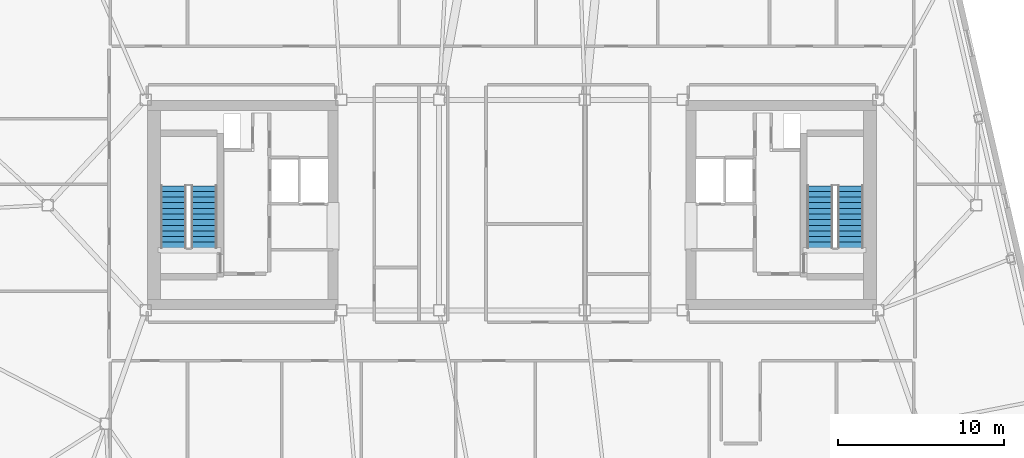
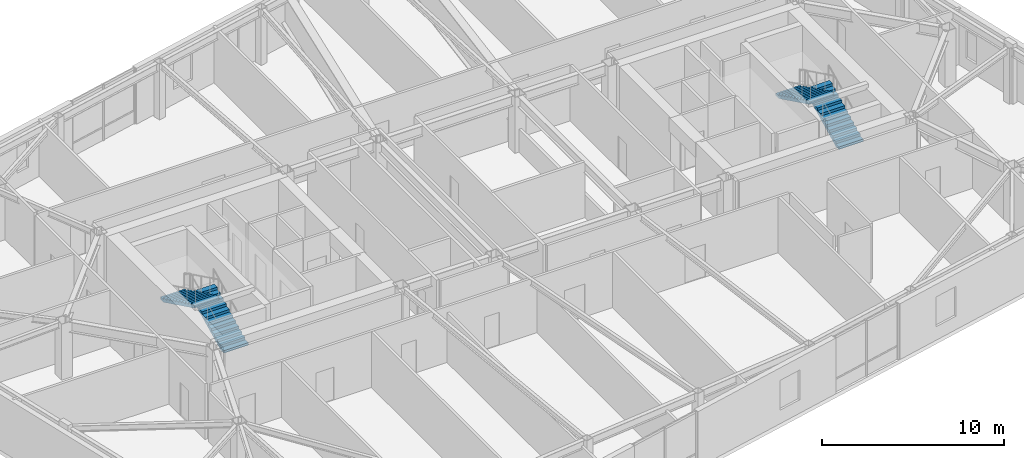
# One storey, part 21 of 24: 4 stair flights, 2 elements without a shape of their own.
"""IFC4 building model written with IfcOpenShell, lengths in metres."""

from ifc_helpers import new_model, si_unit, direction, frame, origin, place, context, subcontext, project, spatial, polyline, outline, extrude, material, type_object, element, aggregate, save


model = new_model("IFC4")

# Units and contexts
model_context = context("Model", 3, precision=1e-05, world=origin(), true_north=direction((0.0, 1.0)))
body_context = subcontext(model_context, "Body", "Model", "MODEL_VIEW")
ifc_project = project(units=[si_unit("LENGTHUNIT", "METRE"), si_unit("AREAUNIT", "SQUARE_METRE"), si_unit("VOLUMEUNIT", "CUBIC_METRE"), si_unit("PLANEANGLEUNIT", "RADIAN"), si_unit("MASSUNIT", "GRAM", prefix="KILO")], contexts=[model_context])

# Site, building, storey
site_placement = place(None, origin())
site = spatial("IfcSite", under=ifc_project, at=site_placement, CompositionType="ELEMENT")
building_placement = place(site_placement, origin())
building = spatial("IfcBuilding", under=site, at=building_placement, Name="Tavrogorsk Clinical Tower", CompositionType="ELEMENT")
storey_placement = place(building_placement, frame((0.0, 0.0, 309.0)))
storey = spatial("IfcBuildingStorey", under=building, at=storey_placement, Name="L72", CompositionType="ELEMENT", Elevation=309.0)

# Stair, stair flights
ifc_material_1 = material(Name="Concrete B60", Category="concrete")
stair_type = type_object("IfcStairType", Name="CoreStairAssembly", PredefinedType="HALF_TURN_STAIR", material=ifc_material_1)
stair_1_placement = place(storey_placement, origin())
stair_1 = element("IfcStair", 1, at=stair_1_placement, inside=storey, type_object=stair_type, Name="L72 ST-W", PredefinedType="HALF_TURN_STAIR")
ifc_material_2 = material(Name="Concrete B60", Category="concrete")
stair_flight_type = type_object("IfcStairFlightType", Name="CoreStairFlight", PredefinedType="STRAIGHT", material=ifc_material_2)
stair_flight_1_placement = place(storey_placement, frame((-18.574951171875, -2.574951171875, 0.0), z_axis=(0.0, 0.0, 1.0), x_axis=(0.0, 1.0, 0.0)))
stair_flight_1 = element("IfcStairFlight", 2, at=stair_flight_1_placement, type_object=stair_flight_type, Name="ST-W flight 1", NumberOfRisers=12, NumberOfTreads=11, PredefinedType="STRAIGHT", RiserHeight=0.166666667, TreadLength=0.34, context=body_context, shape_type="SweptSolid", body=[
    extrude(outline(polyline([(0.0, 0.0), (0.0, 0.166748046875), (0.340087890625, 0.166748046875), (0.340087890625, 0.333251953125), (0.679931640625, 0.333251953125), (0.679931640625, 0.5), (1.02001953125, 0.5), (1.02001953125, 0.666748046875), (1.360107421875, 0.666748046875), (1.360107421875, 0.833251953125), (1.699951171875, 0.833251953125), (1.699951171875, 1.0), (2.0400390625, 1.0), (2.0400390625, 1.166748046875), (2.3798828125, 1.166748046875), (2.3798828125, 1.333251953125), (2.719970703125, 1.333251953125), (2.719970703125, 1.5), (3.06005859375, 1.5), (3.06005859375, 1.666748046875), (3.39990234375, 1.666748046875), (3.39990234375, 1.833251953125), (3.739990234375, 1.833251953125), (3.739990234375, 2.0), (3.739990234375, 1.66650390625), (0.340576171875, 0.0), (0.0, 0.0)])), frame((0.0, 0.77490234375, 0.0), z_axis=(0.0, -1.0, 0.0), x_axis=(1.0, 0.0, 0.0)), (0.0, 0.0, 1.0), 1.550048828125),
])
stair_flight_2_placement = place(storey_placement, frame((-20.425048828125, 1.1650390625, 2.0), z_axis=(0.0, 0.0, 1.0), x_axis=(0.0, -1.0, 0.0)))
stair_flight_2 = element("IfcStairFlight", 3, at=stair_flight_2_placement, type_object=stair_flight_type, Name="ST-W flight 2", NumberOfRisers=12, NumberOfTreads=11, PredefinedType="STRAIGHT", RiserHeight=0.166666667, TreadLength=0.34, context=body_context, shape_type="SweptSolid", body=[
    extrude(outline(polyline([(0.0, 0.0), (0.0, 0.166748046875), (0.340087890625, 0.166748046875), (0.340087890625, 0.333251953125), (0.679931640625, 0.333251953125), (0.679931640625, 0.5), (1.02001953125, 0.5), (1.02001953125, 0.666748046875), (1.360107421875, 0.666748046875), (1.360107421875, 0.833251953125), (1.699951171875, 0.833251953125), (1.699951171875, 1.0), (2.0400390625, 1.0), (2.0400390625, 1.166748046875), (2.3798828125, 1.166748046875), (2.3798828125, 1.333251953125), (2.719970703125, 1.333251953125), (2.719970703125, 1.5), (3.06005859375, 1.5), (3.06005859375, 1.666748046875), (3.39990234375, 1.666748046875), (3.39990234375, 1.833251953125), (3.739990234375, 1.833251953125), (3.739990234375, 2.0), (3.739990234375, 1.66650390625), (0.340576171875, 0.0), (0.0, 0.0)])), frame((0.0, 0.77490234375, 0.0), z_axis=(0.0, -1.0, 0.0), x_axis=(1.0, 0.0, 0.0)), (0.0, 0.0, 1.0), 1.550048828125),
])
aggregate(stair_1, [stair_flight_1, stair_flight_2])

stair_2_placement = place(storey_placement, origin())
stair_2 = element("IfcStair", 4, at=stair_2_placement, inside=storey, type_object=stair_type, Name="L72 ST-E", PredefinedType="HALF_TURN_STAIR")
stair_flight_3_placement = place(storey_placement, frame((20.425048828125, -2.574951171875, 0.0), z_axis=(0.0, 0.0, 1.0), x_axis=(0.0, 1.0, 0.0)))
stair_flight_3 = element("IfcStairFlight", 5, at=stair_flight_3_placement, type_object=stair_flight_type, Name="ST-E flight 1", NumberOfRisers=12, NumberOfTreads=11, PredefinedType="STRAIGHT", RiserHeight=0.166666667, TreadLength=0.34, context=body_context, shape_type="SweptSolid", body=[
    extrude(outline(polyline([(0.0, 0.0), (0.0, 0.166748046875), (0.340087890625, 0.166748046875), (0.340087890625, 0.333251953125), (0.679931640625, 0.333251953125), (0.679931640625, 0.5), (1.02001953125, 0.5), (1.02001953125, 0.666748046875), (1.360107421875, 0.666748046875), (1.360107421875, 0.833251953125), (1.699951171875, 0.833251953125), (1.699951171875, 1.0), (2.0400390625, 1.0), (2.0400390625, 1.166748046875), (2.3798828125, 1.166748046875), (2.3798828125, 1.333251953125), (2.719970703125, 1.333251953125), (2.719970703125, 1.5), (3.06005859375, 1.5), (3.06005859375, 1.666748046875), (3.39990234375, 1.666748046875), (3.39990234375, 1.833251953125), (3.739990234375, 1.833251953125), (3.739990234375, 2.0), (3.739990234375, 1.66650390625), (0.340576171875, 0.0), (0.0, 0.0)])), frame((0.0, 0.77490234375, 0.0), z_axis=(0.0, -1.0, 0.0), x_axis=(1.0, 0.0, 0.0)), (0.0, 0.0, 1.0), 1.550048828125),
])
stair_flight_4_placement = place(storey_placement, frame((18.574951171875, 1.1650390625, 2.0), z_axis=(0.0, 0.0, 1.0), x_axis=(0.0, -1.0, 0.0)))
stair_flight_4 = element("IfcStairFlight", 6, at=stair_flight_4_placement, type_object=stair_flight_type, Name="ST-E flight 2", NumberOfRisers=12, NumberOfTreads=11, PredefinedType="STRAIGHT", RiserHeight=0.166666667, TreadLength=0.34, context=body_context, shape_type="SweptSolid", body=[
    extrude(outline(polyline([(0.0, 0.0), (0.0, 0.166748046875), (0.340087890625, 0.166748046875), (0.340087890625, 0.333251953125), (0.679931640625, 0.333251953125), (0.679931640625, 0.5), (1.02001953125, 0.5), (1.02001953125, 0.666748046875), (1.360107421875, 0.666748046875), (1.360107421875, 0.833251953125), (1.699951171875, 0.833251953125), (1.699951171875, 1.0), (2.0400390625, 1.0), (2.0400390625, 1.166748046875), (2.3798828125, 1.166748046875), (2.3798828125, 1.333251953125), (2.719970703125, 1.333251953125), (2.719970703125, 1.5), (3.06005859375, 1.5), (3.06005859375, 1.666748046875), (3.39990234375, 1.666748046875), (3.39990234375, 1.833251953125), (3.739990234375, 1.833251953125), (3.739990234375, 2.0), (3.739990234375, 1.66650390625), (0.340576171875, 0.0), (0.0, 0.0)])), frame((0.0, 0.77490234375, 0.0), z_axis=(0.0, -1.0, 0.0), x_axis=(1.0, 0.0, 0.0)), (0.0, 0.0, 1.0), 1.550048828125),
])
aggregate(stair_2, [stair_flight_3, stair_flight_4])

save(model, "model.ifc")
